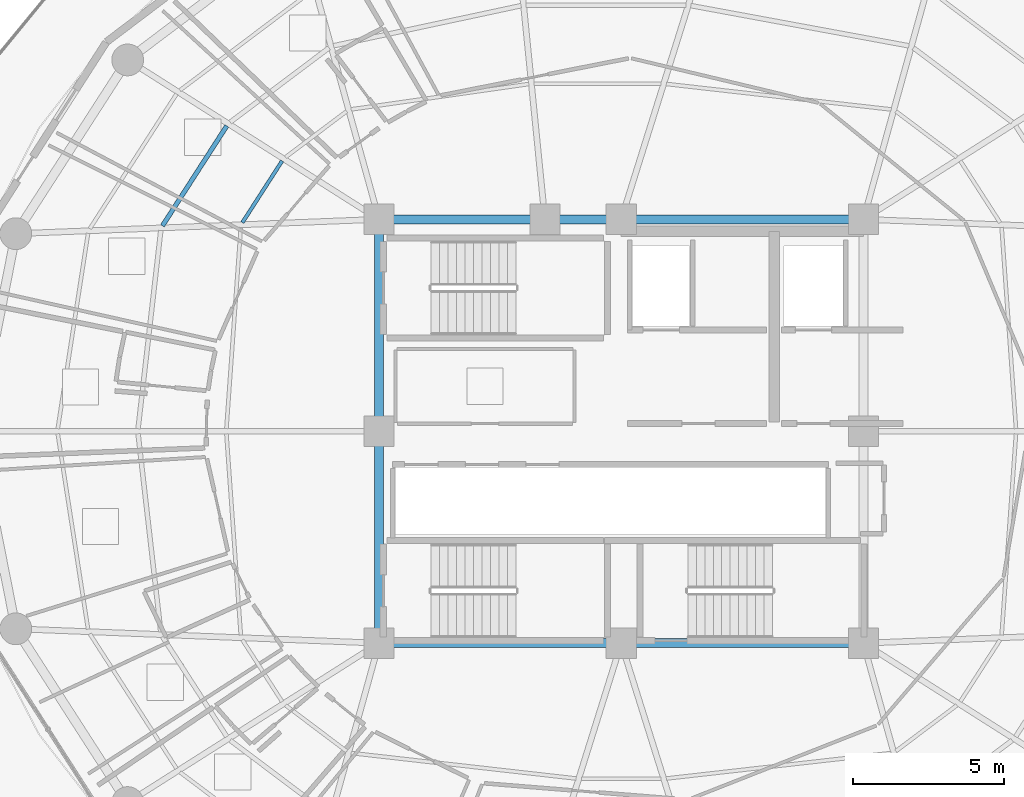
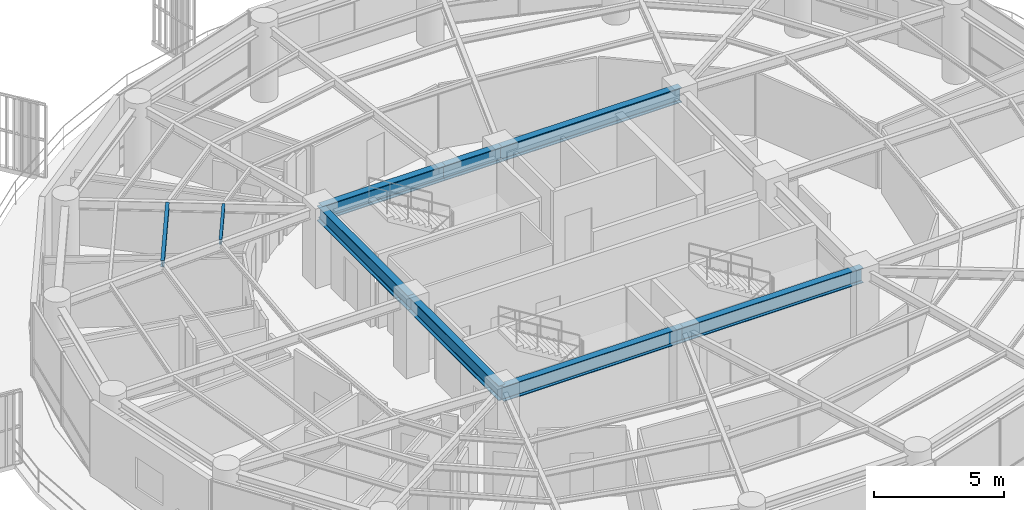
# One storey, part 9 of 30: 9 beams.
"""IFC4 building model written with IfcOpenShell, lengths in metres."""

from ifc_helpers import new_model, si_unit, direction, frame, origin, origin_2d, place, context, subcontext, project, spatial, i_section, extrude, material, material_profile, profile_set, type_object, element, save


model = new_model("IFC4")

# Units and contexts
model_context = context("Model", 3, precision=1e-05, world=origin(), true_north=direction((0.0, 1.0)))
body_context = subcontext(model_context, "Body", "Model", "MODEL_VIEW")
ifc_project = project(units=[si_unit("LENGTHUNIT", "METRE"), si_unit("AREAUNIT", "SQUARE_METRE"), si_unit("VOLUMEUNIT", "CUBIC_METRE"), si_unit("PLANEANGLEUNIT", "RADIAN"), si_unit("MASSUNIT", "GRAM", prefix="KILO")], contexts=[model_context])

# Site, building, storey
site_placement = place(None, origin())
site = spatial("IfcSite", under=ifc_project, at=site_placement, CompositionType="ELEMENT")
building_placement = place(site_placement, origin())
building = spatial("IfcBuilding", under=site, at=building_placement, Name="Kelanora Arch Commons", CompositionType="ELEMENT")
storey_placement = place(building_placement, frame((0.0, 0.0, 234.449951171875)))
storey = spatial("IfcBuildingStorey", under=building, at=storey_placement, Name="L60", CompositionType="ELEMENT", Elevation=234.449951171875)

# Beams
ifc_material = material(Name="Steel S355", Category="steel")
ifc_material_profile_1 = material_profile(ifc_material, i_section(OverallWidth=0.300048828125, OverallDepth=0.699951171875, WebThickness=0.01708984375, FlangeThickness=0.031982421875, FilletRadius=0.027099609375, at=origin_2d()), Name="HEB700")
ifc_profile_set_1 = profile_set([ifc_material_profile_1], Name="Steel S355")
beam_type_1 = type_object("IfcBeamType", Name="BM-CORE-HDR", PredefinedType="BEAM", material=ifc_profile_set_1)
for number, where, z_axis, x_axis, name in (
    (1, (66.0, 51.0, 3.14013671875), (1.0, 0.0, 0.0), (0.0, 1.0, 0.0), "Core Header Beam 01 L60"),
    (2, (74.0, 51.0, 3.14013671875), (1.0, 0.0, 0.0), (0.0, 1.0, 0.0), "Core Header Beam 02 L60"),
    (3, (82.0, 65.0, 3.14013671875), (-1.0, 0.0, 0.0), (0.0, -1.0, 0.0), "Core Header Beam 05 L60"),
):
    element("IfcBeam", number, at=place(storey_placement, frame(where, z_axis=z_axis, x_axis=x_axis)), inside=storey, type_object=beam_type_1, Name=name, PredefinedType="BEAM", context=body_context, shape_type="SweptSolid", body=[
        extrude(i_section(OverallWidth=0.300048828125, OverallDepth=0.699951171875, WebThickness=0.01708984375, FlangeThickness=0.031982421875, FilletRadius=0.027099609375, at=origin_2d()), origin(), (0.0, 0.0, 1.0), 8.0),
    ])
beam_1_placement = place(storey_placement, frame((74.0, 65.0, 3.14013671875), z_axis=(-1.0, 0.0, 0.0), x_axis=(0.0, -1.0, 0.0)))
element("IfcBeam", 4, at=beam_1_placement, inside=storey, type_object=beam_type_1, Name="Core Header Beam 06 L60", PredefinedType="BEAM", context=body_context, shape_type="SweptSolid", body=[
    extrude(i_section(OverallWidth=0.300048828125, OverallDepth=0.699951171875, WebThickness=0.01708984375, FlangeThickness=0.031982421875, FilletRadius=0.027099609375, at=origin_2d()), origin(), (0.0, 0.0, 1.0), 2.52001953125),
])
beam_2_placement = place(storey_placement, frame((71.47998046875, 65.0, 3.14013671875), z_axis=(-1.0, 0.0, 0.0), x_axis=(0.0, -1.0, 0.0)))
element("IfcBeam", 5, at=beam_2_placement, inside=storey, type_object=beam_type_1, Name="Core Header Beam 07 L60", PredefinedType="BEAM", context=body_context, shape_type="SweptSolid", body=[
    extrude(i_section(OverallWidth=0.300048828125, OverallDepth=0.699951171875, WebThickness=0.01708984375, FlangeThickness=0.031982421875, FilletRadius=0.027099609375, at=origin_2d()), origin(), (0.0, 0.0, 1.0), 5.47998046875),
])
for number, where, z_axis, x_axis, name in (
    (6, (66.0, 65.0, 3.14013671875), (0.0, -1.0, 0.0), (1.0, 0.0, 0.0), "Core Header Beam 08 L60"),
    (7, (66.0, 58.0, 3.14013671875), (0.0, -1.0, 0.0), (1.0, 0.0, 0.0), "Core Header Beam 09 L60"),
):
    element("IfcBeam", number, at=place(storey_placement, frame(where, z_axis=z_axis, x_axis=x_axis)), inside=storey, type_object=beam_type_1, Name=name, PredefinedType="BEAM", context=body_context, shape_type="SweptSolid", body=[
        extrude(i_section(OverallWidth=0.300048828125, OverallDepth=0.699951171875, WebThickness=0.01708984375, FlangeThickness=0.031982421875, FilletRadius=0.027099609375, at=origin_2d()), origin(), (0.0, 0.0, 1.0), 7.0),
    ])
ifc_material_profile_2 = material_profile(ifc_material, i_section(OverallWidth=0.14990234375, OverallDepth=0.300048828125, WebThickness=0.007080078125, FlangeThickness=0.0107421875, FilletRadius=0.014892578125, at=origin_2d()), Name="IPE300")
ifc_profile_set_2 = profile_set([ifc_material_profile_2], Name="Steel S355")
beam_type_2 = type_object("IfcBeamType", Name="BM-JST-01", PredefinedType="JOIST", material=ifc_profile_set_2)
beam_3_placement = place(storey_placement, frame((60.97314453125, 68.087158203125, 3.340087890625), z_axis=(-0.541411265892, -0.840757896879, 0.0), x_axis=(0.840757896879, -0.541411265892, 0.0)))
element("IfcBeam", 8, at=beam_3_placement, inside=storey, type_object=beam_type_2, Name="Secondary Chord Joist BJB-14 L60", PredefinedType="JOIST", context=body_context, shape_type="SweptSolid", body=[
    extrude(i_section(OverallWidth=0.14990234375, OverallDepth=0.300048828125, WebThickness=0.007080078125, FlangeThickness=0.0107421875, FilletRadius=0.014892578125, at=origin_2d()), origin(), (0.0, 0.0, 1.0), 3.92529296875),
])
ifc_material_profile_3 = material_profile(ifc_material, i_section(OverallWidth=0.1201171875, OverallDepth=0.239990234375, WebThickness=0.006103515625, FlangeThickness=0.009765625, FilletRadius=0.014892578125, at=origin_2d()), Name="IPE240")
ifc_profile_set_3 = profile_set([ifc_material_profile_3], Name="Steel S355")
beam_type_3 = type_object("IfcBeamType", Name="BM-JST-02", PredefinedType="JOIST", material=ifc_profile_set_3)
beam_4_placement = place(storey_placement, frame((62.79931640625, 66.928955078125, 3.3701171875), z_axis=(-0.541332763503, -0.840808443796, 0.0), x_axis=(0.840808443796, -0.541332763503, 0.0)))
element("IfcBeam", 9, at=beam_4_placement, inside=storey, type_object=beam_type_3, Name="Secondary Chord Joist BJA-14 L60", PredefinedType="JOIST", context=body_context, shape_type="SweptSolid", body=[
    extrude(i_section(OverallWidth=0.1201171875, OverallDepth=0.239990234375, WebThickness=0.006103515625, FlangeThickness=0.009765625, FilletRadius=0.014892578125, at=origin_2d()), origin(), (0.0, 0.0, 1.0), 2.423583984375),
])

save(model, "model.ifc")
